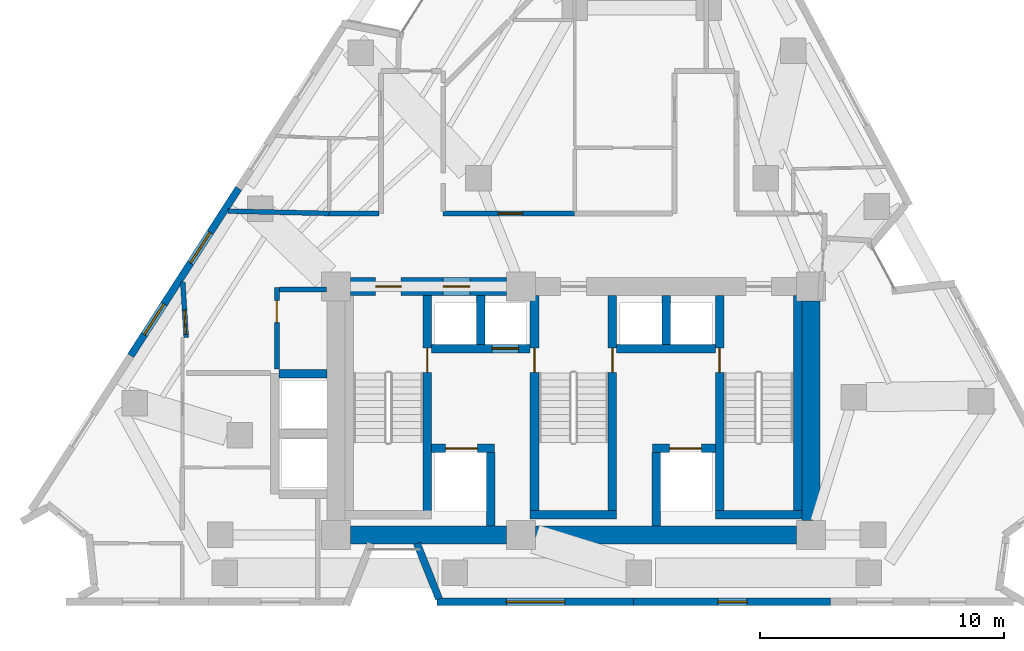
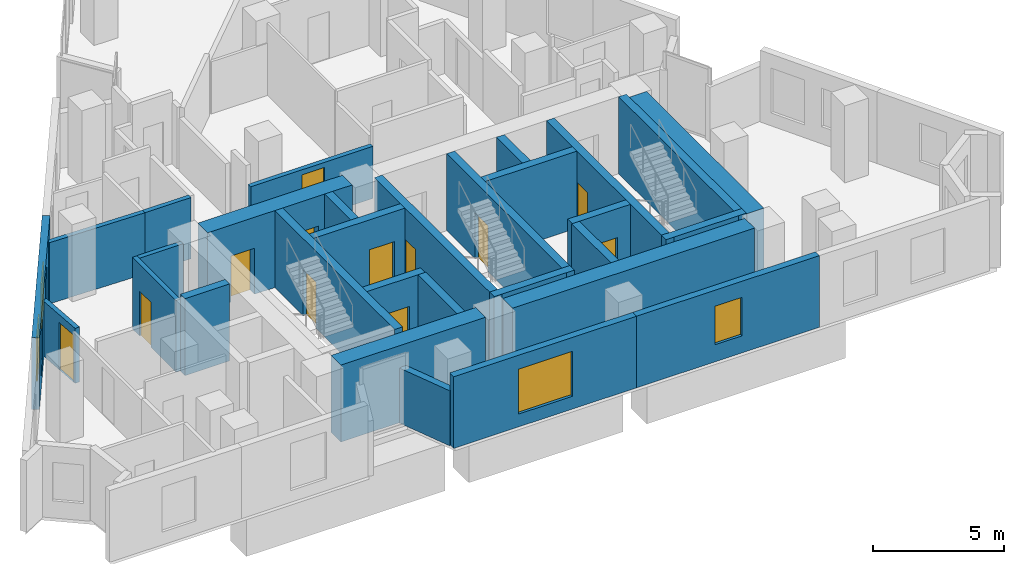
# One storey, part 7 of 11: 30 walls, 12 doors, 4 windows, 16 openings.
"""IFC4 building model written with IfcOpenShell, lengths in metres."""

from ifc_helpers import new_model, si_unit, direction, frame, frame_2d, origin, place, context, subcontext, project, spatial, rectangle, extrude, material, layer, layer_set, type_object, element, fill, save


model = new_model("IFC4")

# Units and contexts
model_context = context("Model", 3, precision=1e-05, world=origin(), true_north=direction((0.0, 1.0)))
body_context = subcontext(model_context, "Body", "Model", "MODEL_VIEW")
ifc_project = project(units=[si_unit("LENGTHUNIT", "METRE"), si_unit("AREAUNIT", "SQUARE_METRE"), si_unit("VOLUMEUNIT", "CUBIC_METRE"), si_unit("PLANEANGLEUNIT", "RADIAN"), si_unit("MASSUNIT", "GRAM", prefix="KILO")], contexts=[model_context])

# Site, building, storey
site_placement = place(None, origin())
site = spatial("IfcSite", under=ifc_project, at=site_placement, CompositionType="ELEMENT")
building_placement = place(site_placement, origin())
building = spatial("IfcBuilding", under=site, at=building_placement, Name="Almagre Mirador Tower", CompositionType="ELEMENT")
storey_placement = place(building_placement, frame((0.0, 0.0, 175.199951171875)))
storey = spatial("IfcBuildingStorey", under=building, at=storey_placement, Name="L45", CompositionType="ELEMENT", Elevation=175.199951171875)

# Wall, opening, window
ifc_material_1 = material(Name="Precast concrete C50/60", Category="concrete")
ifc_layer_1 = layer(ifc_material_1, 0.300048828125)
ifc_layer_set_1 = layer_set([ifc_layer_1], Name="Precast concrete C50/60")
wall_type_1 = type_object("IfcWallType", Name="WAL-EXT-300", PredefinedType="SOLIDWALL", material=ifc_layer_set_1)
wall_1_placement = place(storey_placement, frame((47.85595703125, 1.800048828125, 0.0), z_axis=(0.0, 0.0, 1.0), x_axis=(-1.0, 0.0, 0.0)))
wall_1 = element("IfcWall", 1, at=wall_1_placement, inside=storey, type_object=wall_type_1, Name="L45 expressed almagre precast frame wall 20", PredefinedType="SOLIDWALL", context=body_context, shape_type="SweptSolid", body=[
    extrude(rectangle(XDim=8.083984375, YDim=0.300048828125, at=frame_2d((4.0419921875, 0.0))), origin(), (0.0, 0.0, 1.0), 3.35009765625),
])
opening_1_placement = place(wall_1_placement, frame((3.425048828125, 0.0, 0.800048828125)))
opening_1 = element("IfcOpeningElement", 2, at=opening_1_placement, cuts=wall_1, Name="Opening WN-04", PredefinedType="OPENING", context=body_context, shape_type="SweptSolid", body=[
    extrude(rectangle(XDim=1.199951171875, YDim=1.800048828125, at=frame_2d((0.60009765625, 0.89990234375))), frame((0.0, 0.159902, 0.0), z_axis=(0.0, -1.0, 0.0), x_axis=(1.0, 0.0, 0.0)), (0.0, 0.0, 1.0), 0.320049),
])
ifc_material_2 = material(Name="Dark solar-control laminated hurricane glass", Category="glass")
window_type_1 = type_object("IfcWindowType", Name="WIN-1200X1800", PartitioningType="SINGLE_PANEL", PredefinedType="WINDOW", material=ifc_material_2)
window_1_placement = place(opening_1_placement, origin())
window_1 = element("IfcWindow", 3, at=window_1_placement, inside=storey, type_object=window_type_1, Name="L45 recessed hurricane window L45-RST-B", OverallHeight=1.800048828125, OverallWidth=1.199951171875, PartitioningType="SINGLE_PANEL", PredefinedType="WINDOW", context=body_context, shape_type="SweptSolid", body=[
    extrude(rectangle(XDim=1.199951171875, YDim=1.800048828125, at=frame_2d((0.60009765625, 0.89990234375))), frame((0.0, 0.030029296875, 0.0), z_axis=(0.0, -1.0, 0.0), x_axis=(1.0, 0.0, 0.0)), (0.0, 0.0, 1.0), 0.06005859375),
])
fill(opening_1, window_1)

wall_2_placement = place(storey_placement, frame((39.77197265625, 1.800048828125, 0.0), z_axis=(0.0, 0.0, 1.0), x_axis=(-1.0, 0.0, 0.0)))
wall_2 = element("IfcWall", 4, at=wall_2_placement, inside=storey, type_object=wall_type_1, Name="L45 expressed almagre precast frame wall 21", PredefinedType="SOLIDWALL", context=body_context, shape_type="SweptSolid", body=[
    extrude(rectangle(XDim=8.083984375, YDim=0.300048828125, at=frame_2d((4.0419921875, 0.0))), origin(), (0.0, 0.0, 1.0), 3.35009765625),
])
opening_2_placement = place(wall_2_placement, frame((2.824951171875, 0.0, 0.60009765625)))
opening_2 = element("IfcOpeningElement", 5, at=opening_2_placement, cuts=wall_2, Name="Opening WN-02", PredefinedType="OPENING", context=body_context, shape_type="SweptSolid", body=[
    extrude(rectangle(XDim=2.39990234375, YDim=2.10009765625, at=frame_2d((1.199951171875, 1.050048828125))), frame((0.0, 0.159902, 0.0), z_axis=(0.0, -1.0, 0.0), x_axis=(1.0, 0.0, 0.0)), (0.0, 0.0, 1.0), 0.320049),
])
ifc_material_3 = material(Name="Dark solar-control laminated hurricane glass", Category="glass")
window_type_2 = type_object("IfcWindowType", Name="WIN-2400X2100", PartitioningType="TRIPLE_PANEL_VERTICAL", PredefinedType="WINDOW", material=ifc_material_3)
window_2_placement = place(opening_2_placement, origin())
window_2 = element("IfcWindow", 6, at=window_2_placement, inside=storey, type_object=window_type_2, Name="L45 recessed hurricane window L45-RST-B", OverallHeight=2.10009765625, OverallWidth=2.39990234375, PartitioningType="SINGLE_PANEL", PredefinedType="WINDOW", context=body_context, shape_type="SweptSolid", body=[
    extrude(rectangle(XDim=2.39990234375, YDim=2.10009765625, at=frame_2d((1.199951171875, 1.050048828125))), frame((0.0, 0.030029296875, 0.0), z_axis=(0.0, -1.0, 0.0), x_axis=(1.0, 0.0, 0.0)), (0.0, 0.0, 1.0), 0.06005859375),
])
fill(opening_2, window_2)

# Wall
wall_3_placement = place(storey_placement, frame((31.778076171875, 1.92529296875, 0.0), z_axis=(0.0, 0.0, 1.0), x_axis=(-0.369480334007, 0.929238549987, 0.0)))
element("IfcWall", 7, at=wall_3_placement, inside=storey, type_object=wall_type_1, Name="L45 expressed almagre precast frame wall 22", PredefinedType="SOLIDWALL", context=body_context, shape_type="SweptSolid", body=[
    extrude(rectangle(XDim=2.44677734375, YDim=0.300048828125, at=frame_2d((1.223388671875, 0.0))), origin(), (0.0, 0.0, 1.0), 2.574951171875),
])

# Wall, openings, windows
wall_4_placement = place(storey_placement, frame((19.121337890625, 11.910888671875, 0.0), z_axis=(0.0, 0.0, 1.0), x_axis=(0.542005736819, 0.840374786185, 0.0)))
wall_4 = element("IfcWall", 8, at=wall_4_placement, inside=storey, type_object=wall_type_1, Name="L45 expressed almagre precast frame wall 31", PredefinedType="SOLIDWALL", context=body_context, shape_type="SweptSolid", body=[
    extrude(rectangle(XDim=8.171875, YDim=0.300048828125, at=frame_2d((4.0859375, 0.0))), origin(), (0.0, 0.0, 1.0), 3.35009765625),
])
opening_3_placement = place(wall_4_placement, frame((4.52490234375, 0.0, 0.60009765625)))
opening_3 = element("IfcOpeningElement", 9, at=opening_3_placement, cuts=wall_4, Name="Opening WN-03", PredefinedType="OPENING", context=body_context, shape_type="SweptSolid", body=[
    extrude(rectangle(XDim=1.5, YDim=2.10009765625, at=frame_2d((0.75, 1.050048828125))), frame((0.0, 0.159902, 0.0), z_axis=(0.0, -1.0, 0.0), x_axis=(1.0, 0.0, 0.0)), (0.0, 0.0, 1.0), 0.320049),
])
opening_4_placement = place(wall_4_placement, frame((1.02490234375, 0.0, 0.60009765625)))
opening_4 = element("IfcOpeningElement", 10, at=opening_4_placement, cuts=wall_4, Name="Opening WN-03", PredefinedType="OPENING", context=body_context, shape_type="SweptSolid", body=[
    extrude(rectangle(XDim=1.5, YDim=2.10009765625, at=frame_2d((0.75, 1.050048828125))), frame((0.0, 0.159902, 0.0), z_axis=(0.0, -1.0, 0.0), x_axis=(1.0, 0.0, 0.0)), (0.0, 0.0, 1.0), 0.320049),
])
ifc_material_4 = material(Name="Dark solar-control laminated hurricane glass", Category="glass")
window_type_3 = type_object("IfcWindowType", Name="WIN-1500X2100", PartitioningType="DOUBLE_PANEL_VERTICAL", PredefinedType="WINDOW", material=ifc_material_4)
window_3_placement = place(opening_3_placement, origin())
window_3 = element("IfcWindow", 11, at=window_3_placement, inside=storey, type_object=window_type_3, Name="L45 recessed hurricane window L45-RCOR", OverallHeight=2.10009765625, OverallWidth=1.5, PartitioningType="SINGLE_PANEL", PredefinedType="WINDOW", context=body_context, shape_type="SweptSolid", body=[
    extrude(rectangle(XDim=1.5, YDim=2.10009765625, at=frame_2d((0.75, 1.050048828125))), frame((0.0, 0.030029296875, 0.0), z_axis=(0.0, -1.0, 0.0), x_axis=(1.0, 0.0, 0.0)), (0.0, 0.0, 1.0), 0.06005859375),
])
fill(opening_3, window_3)
window_4_placement = place(opening_4_placement, origin())
window_4 = element("IfcWindow", 12, at=window_4_placement, inside=storey, type_object=window_type_3, Name="L45 recessed hurricane window L45-UA-LV", OverallHeight=2.10009765625, OverallWidth=1.5, PartitioningType="SINGLE_PANEL", PredefinedType="WINDOW", context=body_context, shape_type="SweptSolid", body=[
    extrude(rectangle(XDim=1.5, YDim=2.10009765625, at=frame_2d((0.75, 1.050048828125))), frame((0.0, 0.030029296875, 0.0), z_axis=(0.0, -1.0, 0.0), x_axis=(1.0, 0.0, 0.0)), (0.0, 0.0, 1.0), 0.06005859375),
])
fill(opening_4, window_4)

# Wall, opening, door
ifc_material_5 = material(Name="Gypsum acoustic stud partition", Category="other")
ifc_layer_2 = layer(ifc_material_5, 0.199951171875)
ifc_layer_set_2 = layer_set([ifc_layer_2], Name="Gypsum acoustic stud partition")
wall_type_2 = type_object("IfcWallType", Name="WAL-PRT-200-EI60", PredefinedType="PARTITIONING", material=ifc_layer_set_2)
wall_5_placement = place(storey_placement, frame((25.1201171875, 11.3701171875, 0.0), z_axis=(0.0, 0.0, 1.0), x_axis=(0.0, 1.0, 0.0)))
wall_5 = element("IfcWall", 13, at=wall_5_placement, inside=storey, type_object=wall_type_2, Name="L45 core ancillary west wall", PredefinedType="PARTITIONING", context=body_context, shape_type="SweptSolid", body=[
    extrude(rectangle(XDim=3.33984375, YDim=0.199951171875, at=frame_2d((1.669921875, 0.0))), origin(), (0.0, 0.0, 1.0), 3.35009765625),
])
opening_5_placement = place(wall_5_placement, frame((1.89990234375, 0.0, 0.0)))
opening_5 = element("IfcOpeningElement", 14, at=opening_5_placement, cuts=wall_5, Name="Opening ID-03", PredefinedType="OPENING", context=body_context, shape_type="SweptSolid", body=[
    extrude(rectangle(XDim=0.89990234375, YDim=2.10009765625, at=frame_2d((0.449951171875, 1.050048828125))), frame((0.0, 0.110098, 0.0), z_axis=(0.0, -1.0, 0.0), x_axis=(1.0, 0.0, 0.0)), (0.0, 0.0, 1.0), 0.219951),
])
ifc_material_6 = material(Name="Fire-rated hollow steel", Category="steel")
door_type_1 = type_object("IfcDoorType", Name="DOR-FD60-900X2100", OperationType="NOTDEFINED", PredefinedType="DOOR", material=ifc_material_6)
door_1_placement = place(opening_5_placement, origin())
door_1 = element("IfcDoor", 15, at=door_1_placement, inside=storey, type_object=door_type_1, Name="DR-1429 L45 core ancillary corridor door", OperationType="SINGLE_SWING_LEFT", OverallHeight=2.10009765625, OverallWidth=0.89990234375, PredefinedType="DOOR", context=body_context, shape_type="SweptSolid", body=[
    extrude(rectangle(XDim=0.89990234375, YDim=2.10009765625, at=frame_2d((0.449951171875, 1.050048828125))), frame((0.0, 0.02490234375, 0.0), z_axis=(0.0, -1.0, 0.0), x_axis=(1.0, 0.0, 0.0)), (0.0, 0.0, 1.0), 0.050048828125),
])
fill(opening_5, door_1)

# Wall
wall_6_placement = place(storey_placement, frame((25.22509765625, 14.6201171875, 0.0), z_axis=(0.0, 0.0, 1.0), x_axis=(1.0, 0.0, 0.0)))
element("IfcWall", 16, at=wall_6_placement, inside=storey, type_object=wall_type_2, Name="L45 core ancillary north wall", PredefinedType="PARTITIONING", context=body_context, shape_type="SweptSolid", body=[
    extrude(rectangle(XDim=1.934814453125, YDim=0.199951171875, at=frame_2d((0.96728515625, 0.0))), origin(), (0.0, 0.0, 1.0), 3.35009765625),
])

# Wall, opening, door
wall_7_placement = place(storey_placement, frame((21.257080078125, 14.93408203125, 0.0), z_axis=(0.0, 0.0, 1.0), x_axis=(0.06267844951, -0.998033772959, 0.0)))
wall_7 = element("IfcWall", 17, at=wall_7_placement, inside=storey, type_object=wall_type_2, Name="L45 interior partition 001", PredefinedType="PARTITIONING", context=body_context, shape_type="SweptSolid", body=[
    extrude(rectangle(XDim=2.278564453125, YDim=0.199951171875, at=frame_2d((1.13916015625, 0.0))), origin(), (0.0, 0.0, 1.0), 2.570068359375),
])
opening_6_placement = place(wall_7_placement, frame((1.15576171875, 0.0, 0.0)))
opening_6 = element("IfcOpeningElement", 18, at=opening_6_placement, cuts=wall_7, Name="Opening ID-01", PredefinedType="OPENING", context=body_context, shape_type="SweptSolid", body=[
    extrude(rectangle(XDim=1.0, YDim=2.199951171875, at=frame_2d((0.5, 1.10009765625))), frame((0.0, 0.110098, 0.0), z_axis=(0.0, -1.0, 0.0), x_axis=(1.0, 0.0, 0.0)), (0.0, 0.0, 1.0), 0.219951),
])
ifc_material_7 = material(Name="Fire-rated walnut timber", Category="wood")
door_type_2 = type_object("IfcDoorType", Name="DOR-FD60-1000X2200", OperationType="NOTDEFINED", PredefinedType="DOOR", material=ifc_material_7)
door_2_placement = place(opening_6_placement, origin())
door_2 = element("IfcDoor", 19, at=door_2_placement, inside=storey, type_object=door_type_2, Name="DR-1436 L45 interior door L45-RCOR to L45-UA-LV", OperationType="SINGLE_SWING_RIGHT", OverallHeight=2.199951171875, OverallWidth=1.0, PredefinedType="DOOR", context=body_context, shape_type="SweptSolid", body=[
    extrude(rectangle(XDim=1.0, YDim=2.199951171875, at=frame_2d((0.5, 1.10009765625))), frame((0.0, 0.02490234375, 0.0), z_axis=(0.0, -1.0, 0.0), x_axis=(1.0, 0.0, 0.0)), (0.0, 0.0, 1.0), 0.050048828125),
])
fill(opening_6, door_2)

# Walls
wall_8_placement = place(storey_placement, frame((29.31494140625, 17.75, 0.0), z_axis=(0.0, 0.0, 1.0), x_axis=(-1.0, 0.0, 0.0)))
element("IfcWall", 20, at=wall_8_placement, inside=storey, type_object=wall_type_2, Name="L45 interior partition 008", PredefinedType="PARTITIONING", context=body_context, shape_type="SweptSolid", body=[
    extrude(rectangle(XDim=2.044921875, YDim=0.199951171875, at=frame_2d((1.0224609375, 0.0))), origin(), (0.0, 0.0, 1.0), 2.860107421875),
])
wall_9_placement = place(storey_placement, frame((27.27001953125, 17.75, 0.0), z_axis=(0.0, 0.0, 1.0), x_axis=(-0.999740016706, 0.022801293768, 0.0)))
element("IfcWall", 21, at=wall_9_placement, inside=storey, type_object=wall_type_2, Name="L45 interior partition 009", PredefinedType="PARTITIONING", context=body_context, shape_type="SweptSolid", body=[
    extrude(rectangle(XDim=4.1650390625, YDim=0.199951171875, at=frame_2d((2.08251953125, 0.0))), origin(), (0.0, 0.0, 1.0), 2.860107421875),
])

# Wall, opening, door
wall_10_placement = place(storey_placement, frame((37.35009765625, 17.75, 0.0), z_axis=(0.0, 0.0, 1.0), x_axis=(-1.0, 0.0, 0.0)))
wall_10 = element("IfcWall", 22, at=wall_10_placement, inside=storey, type_object=wall_type_2, Name="L45 interior partition 014", PredefinedType="PARTITIONING", context=body_context, shape_type="SweptSolid", body=[
    extrude(rectangle(XDim=5.400146484375, YDim=0.199951171875, at=frame_2d((2.7001953125, 0.0))), origin(), (0.0, 0.0, 1.0), 2.43603515625),
])
opening_7_placement = place(wall_10_placement, frame((2.14111328125, 0.0, 0.0)))
opening_7 = element("IfcOpeningElement", 23, at=opening_7_placement, cuts=wall_10, Name="Opening ID-01", PredefinedType="OPENING", context=body_context, shape_type="SweptSolid", body=[
    extrude(rectangle(XDim=1.0, YDim=2.199951171875, at=frame_2d((0.5, 1.10009765625))), frame((0.0, 0.110098, 0.0), z_axis=(0.0, -1.0, 0.0), x_axis=(1.0, 0.0, 0.0)), (0.0, 0.0, 1.0), 0.219951),
])
door_3_placement = place(opening_7_placement, origin())
door_3 = element("IfcDoor", 24, at=door_3_placement, inside=storey, type_object=door_type_2, Name="DR-1448 L45 interior door L45-RCOR to L45-UE-SL1", OperationType="SINGLE_SWING_LEFT", OverallHeight=2.199951171875, OverallWidth=1.0, PredefinedType="DOOR", context=body_context, shape_type="SweptSolid", body=[
    extrude(rectangle(XDim=1.0, YDim=2.199951171875, at=frame_2d((0.5, 1.10009765625))), frame((0.0, 0.02490234375, 0.0), z_axis=(0.0, -1.0, 0.0), x_axis=(1.0, 0.0, 0.0)), (0.0, 0.0, 1.0), 0.050048828125),
])
fill(opening_7, door_3)

ifc_material_8 = material(Name="Concrete C60/75", Category="concrete")
ifc_layer_3 = layer(ifc_material_8, 0.35009765625)
ifc_layer_set_3 = layer_set([ifc_layer_3], Name="Concrete C60/75")
wall_type_3 = type_object("IfcWallType", Name="WAL-SHF-350", PredefinedType="SOLIDWALL", material=ifc_layer_set_3)
wall_11_placement = place(storey_placement, frame((31.300048828125, 5.199951171875, 0.0), z_axis=(0.0, 0.0, 1.0), x_axis=(0.0, 1.0, 0.0)))
wall_11 = element("IfcWall", 25, at=wall_11_placement, inside=storey, type_object=wall_type_3, Name="L45 shaft wall ST1-E", PredefinedType="SOLIDWALL", context=body_context, shape_type="SweptSolid", body=[
    extrude(rectangle(XDim=9.175048828125, YDim=0.35009765625, at=frame_2d((4.58740234375, 0.0))), origin(), (0.0, 0.0, 1.0), 3.60009765625),
])
opening_8_placement = place(wall_11_placement, frame((6.02001953125, 0.0, 0.0)))
opening_8 = element("IfcOpeningElement", 26, at=opening_8_placement, cuts=wall_11, Name="Opening FD-01", PredefinedType="OPENING", context=body_context, shape_type="SweptSolid", body=[
    extrude(rectangle(XDim=1.0, YDim=2.14990234375, at=frame_2d((0.5, 1.074951171875))), frame((0.0, 0.185049, 0.0), z_axis=(0.0, -1.0, 0.0), x_axis=(1.0, 0.0, 0.0)), (0.0, 0.0, 1.0), 0.370098),
])
ifc_material_9 = material(Name="Fire-rated hollow steel", Category="steel")
door_type_3 = type_object("IfcDoorType", Name="DOR-FFL-1000X2150", OperationType="NOTDEFINED", PredefinedType="DOOR", material=ifc_material_9)
door_4_placement = place(opening_8_placement, origin())
door_4 = element("IfcDoor", 27, at=door_4_placement, inside=storey, type_object=door_type_3, Name="DR-1430 L45 FFL1-ST1 smokeproof door", OperationType="SINGLE_SWING_LEFT", OverallHeight=2.14990234375, OverallWidth=1.0, PredefinedType="DOOR", context=body_context, shape_type="SweptSolid", body=[
    extrude(rectangle(XDim=1.0, YDim=2.14990234375, at=frame_2d((0.5, 1.074951171875))), frame((0.0, 0.02490234375, 0.0), z_axis=(0.0, -1.0, 0.0), x_axis=(1.0, 0.0, 0.0)), (0.0, 0.0, 1.0), 0.050048828125),
])
fill(opening_8, door_4)

wall_12_placement = place(storey_placement, frame((35.699951171875, 5.199951171875, 0.0), z_axis=(0.0, 0.0, 1.0), x_axis=(0.0, 1.0, 0.0)))
wall_12 = element("IfcWall", 28, at=wall_12_placement, inside=storey, type_object=wall_type_3, Name="L45 shaft wall ST2-W", PredefinedType="SOLIDWALL", context=body_context, shape_type="SweptSolid", body=[
    extrude(rectangle(XDim=9.175048828125, YDim=0.35009765625, at=frame_2d((4.58740234375, 0.0))), origin(), (0.0, 0.0, 1.0), 3.60009765625),
])
opening_9_placement = place(wall_12_placement, frame((6.02001953125, 0.0, 0.0)))
opening_9 = element("IfcOpeningElement", 29, at=opening_9_placement, cuts=wall_12, Name="Opening FD-01", PredefinedType="OPENING", context=body_context, shape_type="SweptSolid", body=[
    extrude(rectangle(XDim=1.0, YDim=2.14990234375, at=frame_2d((0.5, 1.074951171875))), frame((0.0, 0.185049, 0.0), z_axis=(0.0, -1.0, 0.0), x_axis=(1.0, 0.0, 0.0)), (0.0, 0.0, 1.0), 0.370098),
])
door_5_placement = place(opening_9_placement, origin())
door_5 = element("IfcDoor", 30, at=door_5_placement, inside=storey, type_object=door_type_3, Name="DR-1431 L45 FFL1-ST2 smokeproof door", OperationType="SINGLE_SWING_RIGHT", OverallHeight=2.14990234375, OverallWidth=1.0, PredefinedType="DOOR", context=body_context, shape_type="SweptSolid", body=[
    extrude(rectangle(XDim=1.0, YDim=2.14990234375, at=frame_2d((0.5, 1.074951171875))), frame((0.0, 0.02490234375, 0.0), z_axis=(0.0, -1.0, 0.0), x_axis=(1.0, 0.0, 0.0)), (0.0, 0.0, 1.0), 0.050048828125),
])
fill(opening_9, door_5)

wall_13_placement = place(storey_placement, frame((38.89990234375, 5.199951171875, 0.0), z_axis=(0.0, 0.0, 1.0), x_axis=(0.0, 1.0, 0.0)))
wall_13 = element("IfcWall", 31, at=wall_13_placement, inside=storey, type_object=wall_type_3, Name="L45 shaft wall ST2-E", PredefinedType="SOLIDWALL", context=body_context, shape_type="SweptSolid", body=[
    extrude(rectangle(XDim=9.175048828125, YDim=0.35009765625, at=frame_2d((4.58740234375, 0.0))), origin(), (0.0, 0.0, 1.0), 3.60009765625),
])
opening_10_placement = place(wall_13_placement, frame((6.02001953125, 0.0, 0.0)))
opening_10 = element("IfcOpeningElement", 32, at=opening_10_placement, cuts=wall_13, Name="Opening FD-01", PredefinedType="OPENING", context=body_context, shape_type="SweptSolid", body=[
    extrude(rectangle(XDim=1.0, YDim=2.14990234375, at=frame_2d((0.5, 1.074951171875))), frame((0.0, 0.185049, 0.0), z_axis=(0.0, -1.0, 0.0), x_axis=(1.0, 0.0, 0.0)), (0.0, 0.0, 1.0), 0.370098),
])
door_6_placement = place(opening_10_placement, origin())
door_6 = element("IfcDoor", 33, at=door_6_placement, inside=storey, type_object=door_type_3, Name="DR-1432 L45 FFL2-ST2 smokeproof door", OperationType="SINGLE_SWING_LEFT", OverallHeight=2.14990234375, OverallWidth=1.0, PredefinedType="DOOR", context=body_context, shape_type="SweptSolid", body=[
    extrude(rectangle(XDim=1.0, YDim=2.14990234375, at=frame_2d((0.5, 1.074951171875))), frame((0.0, 0.02490234375, 0.0), z_axis=(0.0, -1.0, 0.0), x_axis=(1.0, 0.0, 0.0)), (0.0, 0.0, 1.0), 0.050048828125),
])
fill(opening_10, door_6)

# Wall
wall_14_placement = place(storey_placement, frame((35.52490234375, 5.375, 0.0), z_axis=(0.0, 0.0, 1.0), x_axis=(1.0, 0.0, 0.0)))
element("IfcWall", 34, at=wall_14_placement, inside=storey, type_object=wall_type_3, Name="L45 shaft wall ST2-S", PredefinedType="SOLIDWALL", context=body_context, shape_type="SweptSolid", body=[
    extrude(rectangle(XDim=3.550048828125, YDim=0.35009765625, at=frame_2d((1.77490234375, 0.0))), origin(), (0.0, 0.0, 1.0), 3.60009765625),
])

# Wall, opening, door
wall_15_placement = place(storey_placement, frame((43.300048828125, 5.199951171875, 0.0), z_axis=(0.0, 0.0, 1.0), x_axis=(0.0, 1.0, 0.0)))
wall_15 = element("IfcWall", 35, at=wall_15_placement, inside=storey, type_object=wall_type_3, Name="L45 shaft wall ST3-W", PredefinedType="SOLIDWALL", context=body_context, shape_type="SweptSolid", body=[
    extrude(rectangle(XDim=9.175048828125, YDim=0.35009765625, at=frame_2d((4.58740234375, 0.0))), origin(), (0.0, 0.0, 1.0), 3.60009765625),
])
opening_11_placement = place(wall_15_placement, frame((6.02001953125, 0.0, 0.0)))
opening_11 = element("IfcOpeningElement", 36, at=opening_11_placement, cuts=wall_15, Name="Opening FD-01", PredefinedType="OPENING", context=body_context, shape_type="SweptSolid", body=[
    extrude(rectangle(XDim=1.0, YDim=2.14990234375, at=frame_2d((0.5, 1.074951171875))), frame((0.0, 0.185049, 0.0), z_axis=(0.0, -1.0, 0.0), x_axis=(1.0, 0.0, 0.0)), (0.0, 0.0, 1.0), 0.370098),
])
door_7_placement = place(opening_11_placement, origin())
door_7 = element("IfcDoor", 37, at=door_7_placement, inside=storey, type_object=door_type_3, Name="DR-1433 L45 FFL2-ST3 smokeproof door", OperationType="SINGLE_SWING_RIGHT", OverallHeight=2.14990234375, OverallWidth=1.0, PredefinedType="DOOR", context=body_context, shape_type="SweptSolid", body=[
    extrude(rectangle(XDim=1.0, YDim=2.14990234375, at=frame_2d((0.5, 1.074951171875))), frame((0.0, 0.02490234375, 0.0), z_axis=(0.0, -1.0, 0.0), x_axis=(1.0, 0.0, 0.0)), (0.0, 0.0, 1.0), 0.050048828125),
])
fill(opening_11, door_7)

# Walls
wall_16_placement = place(storey_placement, frame((46.5, 5.199951171875, 0.0), z_axis=(0.0, 0.0, 1.0), x_axis=(0.0, 1.0, 0.0)))
element("IfcWall", 38, at=wall_16_placement, inside=storey, type_object=wall_type_3, Name="L45 shaft wall ST3-E", PredefinedType="SOLIDWALL", context=body_context, shape_type="SweptSolid", body=[
    extrude(rectangle(XDim=9.175048828125, YDim=0.35009765625, at=frame_2d((4.58740234375, 0.0))), origin(), (0.0, 0.0, 1.0), 3.60009765625),
])
wall_17_placement = place(storey_placement, frame((43.125, 5.375, 0.0), z_axis=(0.0, 0.0, 1.0), x_axis=(1.0, 0.0, 0.0)))
element("IfcWall", 39, at=wall_17_placement, inside=storey, type_object=wall_type_3, Name="L45 shaft wall ST3-S", PredefinedType="SOLIDWALL", context=body_context, shape_type="SweptSolid", body=[
    extrude(rectangle(XDim=3.550048828125, YDim=0.35009765625, at=frame_2d((1.77490234375, 0.0))), origin(), (0.0, 0.0, 1.0), 3.60009765625),
])

# Wall, opening, door
wall_18_placement = place(storey_placement, frame((31.47509765625, 8.10009765625, 0.0), z_axis=(0.0, 0.0, 1.0), x_axis=(1.0, 0.0, 0.0)))
wall_18 = element("IfcWall", 40, at=wall_18_placement, inside=storey, type_object=wall_type_3, Name="L45 shaft wall FSAE1-N", PredefinedType="SOLIDWALL", context=body_context, shape_type="SweptSolid", body=[
    extrude(rectangle(XDim=2.574951171875, YDim=0.35009765625, at=frame_2d((1.28759765625, 0.0))), origin(), (0.0, 0.0, 1.0), 3.60009765625),
])
opening_12_placement = place(wall_18_placement, frame((0.574951171875, 0.0, 0.0)))
opening_12 = element("IfcOpeningElement", 41, at=opening_12_placement, cuts=wall_18, Name="Opening LD-03", PredefinedType="OPENING", context=body_context, shape_type="SweptSolid", body=[
    extrude(rectangle(XDim=1.300048828125, YDim=2.25, at=frame_2d((0.64990234375, 1.125))), frame((0.0, 0.185049, 0.0), z_axis=(0.0, -1.0, 0.0), x_axis=(1.0, 0.0, 0.0)), (0.0, 0.0, 1.0), 0.370098),
])
ifc_material_10 = material(Name="Hollow stainless steel", Category="steel")
door_type_4 = type_object("IfcDoorType", Name="DOR-LD-1300X2250", OperationType="DOUBLE_DOOR_SLIDING", PredefinedType="DOOR", material=ifc_material_10)
door_8_placement = place(opening_12_placement, origin())
door_8 = element("IfcDoor", 42, at=door_8_placement, inside=storey, type_object=door_type_4, Name="DR-1450 L45 FSAE-1 lift landing door", OperationType="DOUBLE_DOOR_SLIDING", OverallHeight=2.25, OverallWidth=1.300048828125, PredefinedType="DOOR", context=body_context, shape_type="SweptSolid", body=[
    extrude(rectangle(XDim=1.300048828125, YDim=2.25, at=frame_2d((0.64990234375, 1.125))), frame((0.0, 0.02490234375, 0.0), z_axis=(0.0, -1.0, 0.0), x_axis=(1.0, 0.0, 0.0)), (0.0, 0.0, 1.0), 0.050048828125),
])
fill(opening_12, door_8)

wall_19_placement = place(storey_placement, frame((40.550048828125, 8.10009765625, 0.0), z_axis=(0.0, 0.0, 1.0), x_axis=(1.0, 0.0, 0.0)))
wall_19 = element("IfcWall", 43, at=wall_19_placement, inside=storey, type_object=wall_type_3, Name="L45 shaft wall FSAE2-N", PredefinedType="SOLIDWALL", context=body_context, shape_type="SweptSolid", body=[
    extrude(rectangle(XDim=2.574951171875, YDim=0.35009765625, at=frame_2d((1.28759765625, 0.0))), origin(), (0.0, 0.0, 1.0), 3.60009765625),
])
opening_13_placement = place(wall_19_placement, frame((0.699951171875, 0.0, 0.0)))
opening_13 = element("IfcOpeningElement", 44, at=opening_13_placement, cuts=wall_19, Name="Opening LD-03", PredefinedType="OPENING", context=body_context, shape_type="SweptSolid", body=[
    extrude(rectangle(XDim=1.300048828125, YDim=2.25, at=frame_2d((0.64990234375, 1.125))), frame((0.0, 0.185049, 0.0), z_axis=(0.0, -1.0, 0.0), x_axis=(1.0, 0.0, 0.0)), (0.0, 0.0, 1.0), 0.370098),
])
door_9_placement = place(opening_13_placement, origin())
door_9 = element("IfcDoor", 45, at=door_9_placement, inside=storey, type_object=door_type_4, Name="DR-1451 L45 FSAE-2 lift landing door", OperationType="DOUBLE_DOOR_SLIDING", OverallHeight=2.25, OverallWidth=1.300048828125, PredefinedType="DOOR", context=body_context, shape_type="SweptSolid", body=[
    extrude(rectangle(XDim=1.300048828125, YDim=2.25, at=frame_2d((0.64990234375, 1.125))), frame((0.0, 0.02490234375, 0.0), z_axis=(0.0, -1.0, 0.0), x_axis=(1.0, 0.0, 0.0)), (0.0, 0.0, 1.0), 0.050048828125),
])
fill(opening_13, door_9)

# Walls
for number, where, z_axis, x_axis, name in (
    (46, (33.89990234375, 4.925048828125, 0.0), (0.0, 0.0, 1.0), (0.0, 1.0, 0.0), "L45 shaft wall FSAE1-E"),
    (47, (40.699951171875, 4.925048828125, 0.0), (0.0, 0.0, 1.0), (0.0, 1.0, 0.0), "L45 shaft wall FSAE2-W"),
):
    element("IfcWall", number, at=place(storey_placement, frame(where, z_axis=z_axis, x_axis=x_axis)), inside=storey, type_object=wall_type_3, Name=name, PredefinedType="SOLIDWALL", context=body_context, shape_type="SweptSolid", body=[
        extrude(rectangle(XDim=3.0, YDim=0.35009765625, at=frame_2d((1.5, 0.0))), origin(), (0.0, 0.0, 1.0), 3.60009765625),
    ])

# Wall, opening, door
wall_20_placement = place(storey_placement, frame((31.47509765625, 12.199951171875, 0.0), z_axis=(0.0, 0.0, 1.0), x_axis=(1.0, 0.0, 0.0)))
wall_20 = element("IfcWall", 48, at=wall_20_placement, inside=storey, type_object=wall_type_3, Name="L45 shaft wall PLM-S", PredefinedType="SOLIDWALL", context=body_context, shape_type="SweptSolid", body=[
    extrude(rectangle(XDim=4.0498046875, YDim=0.35009765625, at=frame_2d((2.02490234375, 0.0))), origin(), (0.0, 0.0, 1.0), 3.60009765625),
])
opening_14_placement = place(wall_20_placement, frame((2.47509765625, 0.0, 0.0)))
opening_14 = element("IfcOpeningElement", 49, at=opening_14_placement, cuts=wall_20, Name="Opening LD-01", PredefinedType="OPENING", context=body_context, shape_type="SweptSolid", body=[
    extrude(rectangle(XDim=1.10009765625, YDim=2.199951171875, at=frame_2d((0.550048828125, 1.10009765625))), frame((0.0, 0.185049, 0.0), z_axis=(0.0, -1.0, 0.0), x_axis=(1.0, 0.0, 0.0)), (0.0, 0.0, 1.0), 0.370098),
])
ifc_material_11 = material(Name="Hollow stainless steel", Category="steel")
door_type_5 = type_object("IfcDoorType", Name="DOR-LD-1100X2200", OperationType="DOUBLE_DOOR_SLIDING", PredefinedType="DOOR", material=ifc_material_11)
door_10_placement = place(opening_14_placement, origin())
door_10 = element("IfcDoor", 50, at=door_10_placement, inside=storey, type_object=door_type_5, Name="DR-1453 L45 PL-M2 lift landing door", OperationType="DOUBLE_DOOR_SLIDING", OverallHeight=2.199951171875, OverallWidth=1.10009765625, PredefinedType="DOOR", context=body_context, shape_type="SweptSolid", body=[
    extrude(rectangle(XDim=1.10009765625, YDim=2.199951171875, at=frame_2d((0.550048828125, 1.10009765625))), frame((0.0, 0.02490234375, 0.0), z_axis=(0.0, -1.0, 0.0), x_axis=(1.0, 0.0, 0.0)), (0.0, 0.0, 1.0), 0.050048828125),
])
fill(opening_14, door_10)

# Walls
wall_21_placement = place(storey_placement, frame((33.5, 12.375, 0.0), z_axis=(0.0, 0.0, 1.0), x_axis=(0.0, 1.0, 0.0)))
element("IfcWall", 51, at=wall_21_placement, inside=storey, type_object=wall_type_3, Name="L45 shaft wall PLM-M", PredefinedType="SOLIDWALL", context=body_context, shape_type="SweptSolid", body=[
    extrude(rectangle(XDim=2.0, YDim=0.35009765625, at=frame_2d((1.0, 0.0))), origin(), (0.0, 0.0, 1.0), 3.60009765625),
])
wall_22_placement = place(storey_placement, frame((39.074951171875, 12.199951171875, 0.0), z_axis=(0.0, 0.0, 1.0), x_axis=(1.0, 0.0, 0.0)))
element("IfcWall", 52, at=wall_22_placement, inside=storey, type_object=wall_type_3, Name="L45 shaft wall PLH-S", PredefinedType="SOLIDWALL", context=body_context, shape_type="SweptSolid", body=[
    extrude(rectangle(XDim=4.050048828125, YDim=0.35009765625, at=frame_2d((2.02490234375, 0.0))), origin(), (0.0, 0.0, 1.0), 3.60009765625),
])
wall_23_placement = place(storey_placement, frame((41.10009765625, 12.375, 0.0), z_axis=(0.0, 0.0, 1.0), x_axis=(0.0, 1.0, 0.0)))
element("IfcWall", 53, at=wall_23_placement, inside=storey, type_object=wall_type_3, Name="L45 shaft wall PLH-M", PredefinedType="SOLIDWALL", context=body_context, shape_type="SweptSolid", body=[
    extrude(rectangle(XDim=2.0, YDim=0.35009765625, at=frame_2d((1.0, 0.0))), origin(), (0.0, 0.0, 1.0), 3.60009765625),
])
wall_24_placement = place(storey_placement, frame((25.199951171875, 11.175048828125, 0.0), z_axis=(0.0, 0.0, 1.0), x_axis=(1.0, 0.0, 0.0)))
element("IfcWall", 54, at=wall_24_placement, inside=storey, type_object=wall_type_3, Name="L45 shaft wall OL-N", PredefinedType="SOLIDWALL", context=body_context, shape_type="SweptSolid", body=[
    extrude(rectangle(XDim=1.97509765625, YDim=0.35009765625, at=frame_2d((0.987548828125, 0.0))), origin(), (0.0, 0.0, 1.0), 3.60009765625),
])
ifc_material_12 = material(Name="Concrete C60/75", Category="concrete")
ifc_layer_4 = layer(ifc_material_12, 0.75)
ifc_layer_set_4 = layer_set([ifc_layer_4], Name="Concrete C60/75")
wall_type_4 = type_object("IfcWallType", Name="WAL-SHR-750", PredefinedType="SHEAR", material=ifc_layer_set_4)
wall_25_placement = place(storey_placement, frame((28.14990234375, 4.550048828125, 0.0), z_axis=(0.0, 0.0, 1.0), x_axis=(1.0, 0.0, 0.0)))
element("IfcWall", 55, at=wall_25_placement, inside=storey, type_object=wall_type_4, Name="L45 core shear wall S1", PredefinedType="SHEAR", context=body_context, shape_type="SweptSolid", body=[
    extrude(rectangle(XDim=6.400146484375, YDim=0.75, at=frame_2d((3.2001953125, 0.0))), origin(), (0.0, 0.0, 1.0), 3.60009765625),
])
wall_26_placement = place(storey_placement, frame((35.75, 4.550048828125, 0.0), z_axis=(0.0, 0.0, 1.0), x_axis=(1.0, 0.0, 0.0)))
element("IfcWall", 56, at=wall_26_placement, inside=storey, type_object=wall_type_4, Name="L45 core shear wall S2", PredefinedType="SHEAR", context=body_context, shape_type="SweptSolid", body=[
    extrude(rectangle(XDim=10.699951171875, YDim=0.75, at=frame_2d((5.35009765625, 0.0))), origin(), (0.0, 0.0, 1.0), 3.60009765625),
])

# Wall, openings, doors
wall_27_placement = place(storey_placement, frame((28.14990234375, 14.75, 0.0), z_axis=(0.0, 0.0, 1.0), x_axis=(1.0, 0.0, 0.0)))
wall_27 = element("IfcWall", 57, at=wall_27_placement, inside=storey, type_object=wall_type_4, Name="L45 core shear wall N1", PredefinedType="SHEAR", context=body_context, shape_type="SweptSolid", body=[
    extrude(rectangle(XDim=6.400146484375, YDim=0.75, at=frame_2d((3.2001953125, 0.0))), origin(), (0.0, 0.0, 1.0), 3.60009765625),
])
opening_15_placement = place(wall_27_placement, frame((1.02490234375, 0.0, 0.0)))
opening_15 = element("IfcOpeningElement", 58, at=opening_15_placement, cuts=wall_27, Name="Opening SD-01", PredefinedType="OPENING", context=body_context, shape_type="SweptSolid", body=[
    extrude(rectangle(XDim=1.050048828125, YDim=2.14990234375, at=frame_2d((0.52490234375, 1.074951171875))), frame((0.0, 0.385, 0.0), z_axis=(0.0, -1.0, 0.0), x_axis=(1.0, 0.0, 0.0)), (0.0, 0.0, 1.0), 0.77),
])
opening_16_placement = place(wall_27_placement, frame((3.800048828125, 0.0, 0.0)))
opening_16 = element("IfcOpeningElement", 59, at=opening_16_placement, cuts=wall_27, Name="Opening LD-01", PredefinedType="OPENING", context=body_context, shape_type="SweptSolid", body=[
    extrude(rectangle(XDim=1.10009765625, YDim=2.199951171875, at=frame_2d((0.550048828125, 1.10009765625))), frame((0.0, 0.385, 0.0), z_axis=(0.0, -1.0, 0.0), x_axis=(1.0, 0.0, 0.0)), (0.0, 0.0, 1.0), 0.77),
])
door_11_placement = place(opening_16_placement, origin())
door_11 = element("IfcDoor", 60, at=door_11_placement, inside=storey, type_object=door_type_5, Name="DR-1452 L45 PL-M1 lift landing door", OperationType="DOUBLE_DOOR_SLIDING", OverallHeight=2.199951171875, OverallWidth=1.10009765625, PredefinedType="DOOR", context=body_context, shape_type="SweptSolid", body=[
    extrude(rectangle(XDim=1.10009765625, YDim=2.199951171875, at=frame_2d((0.550048828125, 1.10009765625))), frame((0.0, 0.02490234375, 0.0), z_axis=(0.0, -1.0, 0.0), x_axis=(1.0, 0.0, 0.0)), (0.0, 0.0, 1.0), 0.050048828125),
])
fill(opening_16, door_11)
ifc_material_13 = material(Name="Fire-rated hollow steel", Category="steel")
door_type_6 = type_object("IfcDoorType", Name="DOR-ST-1050X2150", OperationType="NOTDEFINED", PredefinedType="DOOR", material=ifc_material_13)
door_12_placement = place(opening_15_placement, origin())
door_12 = element("IfcDoor", 61, at=door_12_placement, inside=storey, type_object=door_type_6, Name="DR-1454 L45 protected exit stair ST-1 door", OperationType="SINGLE_SWING_RIGHT", OverallHeight=2.14990234375, OverallWidth=1.050048828125, PredefinedType="DOOR", context=body_context, shape_type="SweptSolid", body=[
    extrude(rectangle(XDim=1.050048828125, YDim=2.14990234375, at=frame_2d((0.52490234375, 1.074951171875))), frame((0.0, 0.02490234375, 0.0), z_axis=(0.0, -1.0, 0.0), x_axis=(1.0, 0.0, 0.0)), (0.0, 0.0, 1.0), 0.050048828125),
])
fill(opening_15, door_12)

# Wall
wall_28_placement = place(storey_placement, frame((47.050048828125, 5.14990234375, 0.0), z_axis=(0.0, 0.0, 1.0), x_axis=(0.0, 1.0, 0.0)))
element("IfcWall", 62, at=wall_28_placement, inside=storey, type_object=wall_type_4, Name="L45 core shear wall E1", PredefinedType="SHEAR", context=body_context, shape_type="SweptSolid", body=[
    extrude(rectangle(XDim=9.0, YDim=0.75, at=frame_2d((4.5, 0.0))), origin(), (0.0, 0.0, 1.0), 3.60009765625),
])

save(model, "model.ifc")
